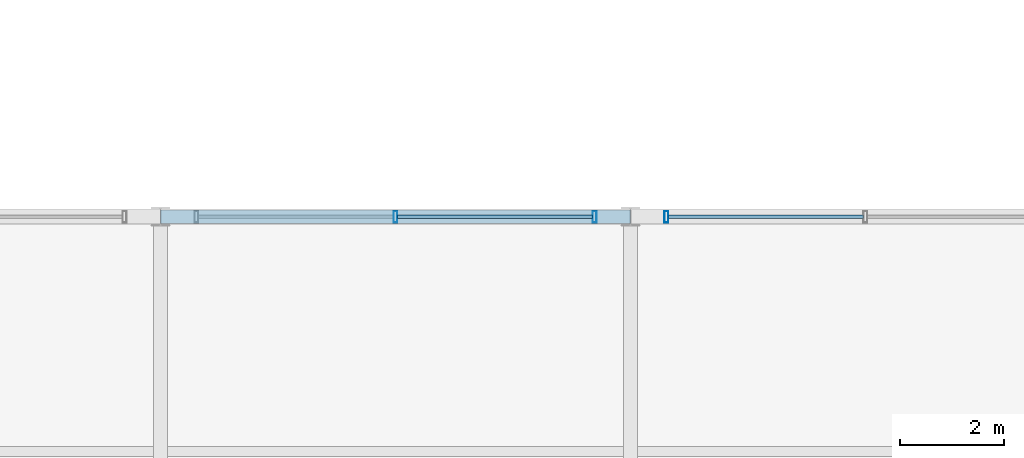
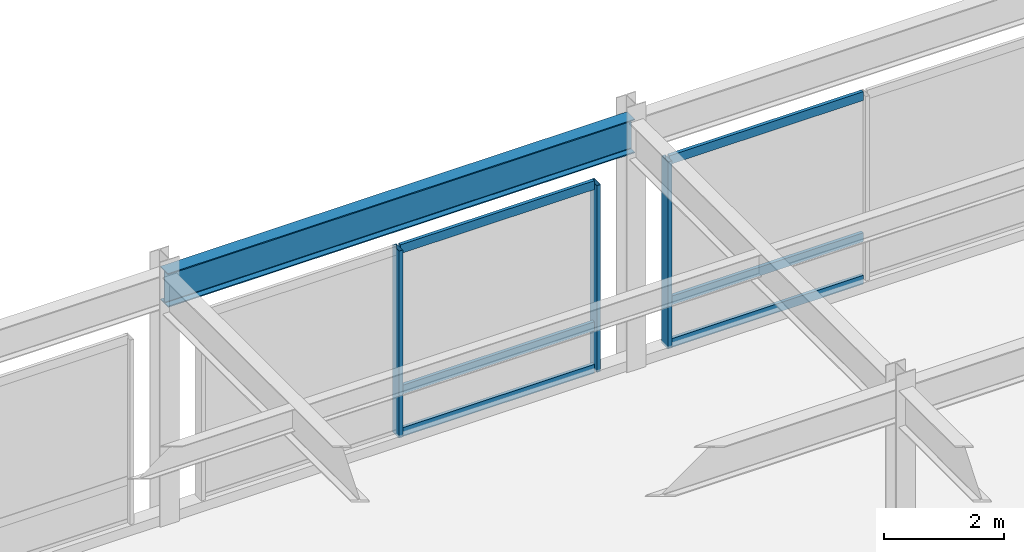
# One storey, part 52 of 100: 9 members, 1 beam, 2 elements without a shape of their own.
"""IFC4 building model written with IfcOpenShell, lengths in metres."""

from ifc_helpers import new_model, si_unit, direction, frame, origin, origin_2d, place, context, subcontext, project, spatial, hollow_rectangle, i_section, extrude, material, material_profile, profile_set, type_object, element, aggregate, save


model = new_model("IFC4")

# Units and contexts
model_context = context("Model", 3, precision=1e-05, world=origin(), true_north=direction((0.0, 1.0)))
body_context = subcontext(model_context, "Body", "Model", "MODEL_VIEW")
ifc_project = project(units=[si_unit("LENGTHUNIT", "METRE"), si_unit("AREAUNIT", "SQUARE_METRE"), si_unit("VOLUMEUNIT", "CUBIC_METRE"), si_unit("PLANEANGLEUNIT", "RADIAN"), si_unit("MASSUNIT", "GRAM", prefix="KILO")], contexts=[model_context])

# Site, building, storey
site_placement = place(None, origin())
site = spatial("IfcSite", under=ifc_project, at=site_placement, CompositionType="ELEMENT")
building_placement = place(site_placement, origin())
building = spatial("IfcBuilding", under=site, at=building_placement, Name="Kaldorvane Square Convention Centre", CompositionType="ELEMENT")
storey_placement = place(building_placement, frame((0.0, 0.0, 18.0)))
storey = spatial("IfcBuildingStorey", under=building, at=storey_placement, Name="L03", CompositionType="ELEMENT", Elevation=18.0)

# Beam
ifc_material_1 = material(Name="Steel ASTM A992 Gr. 50", Category="steel")
ifc_material_profile_1 = material_profile(ifc_material_1, i_section(OverallWidth=0.25439453125, OverallDepth=0.6880950927734375, WebThickness=0.0131072998046875, FlangeThickness=0.0211029052734375, FilletRadius=0.01519775390625, at=origin_2d()), Name="W27X102")
ifc_profile_set_1 = profile_set([ifc_material_profile_1], Name="Steel ASTM A992 Gr. 50")
beam_type = type_object("IfcBeamType", Name="BM-GR-W27X102", PredefinedType="BEAM", material=ifc_profile_set_1)
beam_placement = place(storey_placement, frame((147.0, 36.0, 4.731903076171875), z_axis=(1.0, 0.0, 0.0), x_axis=(0.0, 1.0, 0.0)))
element("IfcBeam", 1, at=beam_placement, inside=storey, type_object=beam_type, Name="Primary Girder (L03)", PredefinedType="BEAM", context=body_context, shape_type="SweptSolid", body=[
    extrude(i_section(OverallWidth=0.25439453125, OverallDepth=0.6880950927734375, WebThickness=0.0131072998046875, FlangeThickness=0.0211029052734375, FilletRadius=0.01519775390625, at=origin_2d()), origin(), (0.0, 0.0, 1.0), 9.0),
])

# Curtain wall, members
ifc_material_2 = material(Name="Anodized Aluminum and Low-E Insulated Glazing", Category="aluminium")
curtain_wall_type = type_object("IfcCurtainWallType", Name="CW-PTS-FC-54", PredefinedType="USERDEFINED", material=ifc_material_2)
curtain_wall_1_placement = place(storey_placement, origin())
curtain_wall_1 = element("IfcCurtainWall", 2, at=curtain_wall_1_placement, inside=storey, type_object=curtain_wall_type, Name="Curtain Wall CW-08 (L03)", ObjectType="POINT SUPPORTED GLAZING", PredefinedType="USERDEFINED")
ifc_material_profile_2 = material_profile(ifc_material_2, hollow_rectangle(XDim=0.0749969482421875, YDim=0.220001220703125, WallThickness=0.003997802734375, at=origin_2d()), Name="CWM-220X75")
ifc_profile_set_2 = profile_set([ifc_material_profile_2], Name="Anodized Aluminum and Low-E Insulated Glazing")
member_type_1 = type_object("IfcMemberType", Name="CW-MUL-220", PredefinedType="MULLION", material=ifc_profile_set_2)
member_1_placement = place(storey_placement, frame((155.3125, 36.0, 0.149993896484375), z_axis=(0.0, 0.0, 1.0), x_axis=(-1.0, 0.0, 0.0)))
member_1 = element("IfcMember", 3, at=member_1_placement, type_object=member_type_1, Name="CW-08 mullion 1", PredefinedType="MULLION", context=body_context, shape_type="SweptSolid", body=[
    extrude(hollow_rectangle(XDim=0.0749969482421875, YDim=0.220001220703125, WallThickness=0.003997802734375, at=origin_2d()), origin(), (0.0, 0.0, 1.0), 3.8100128173828125),
])
member_2_placement = place(storey_placement, frame((151.5, 36.0, 0.149993896484375), z_axis=(0.0, 0.0, 1.0), x_axis=(-1.0, 0.0, 0.0)))
member_2 = element("IfcMember", 4, at=member_2_placement, type_object=member_type_1, Name="CW-08 mullion 2", PredefinedType="MULLION", context=body_context, shape_type="SweptSolid", body=[
    extrude(hollow_rectangle(XDim=0.0749969482421875, YDim=0.220001220703125, WallThickness=0.003997802734375, at=origin_2d()), origin(), (0.0, 0.0, 1.0), 3.8100128173828125),
])

# Curtain wall, member
curtain_wall_2_placement = place(storey_placement, origin())
curtain_wall_2 = element("IfcCurtainWall", 5, at=curtain_wall_2_placement, inside=storey, type_object=curtain_wall_type, Name="Curtain Wall CW-08 (L03)", ObjectType="POINT SUPPORTED GLAZING", PredefinedType="USERDEFINED")
member_3_placement = place(storey_placement, frame((156.6875, 36.0, 0.149993896484375), z_axis=(0.0, 0.0, 1.0), x_axis=(-1.0, 0.0, 0.0)))
member_3 = element("IfcMember", 6, at=member_3_placement, type_object=member_type_1, Name="CW-08 mullion 3", PredefinedType="MULLION", context=body_context, shape_type="SweptSolid", body=[
    extrude(hollow_rectangle(XDim=0.0749969482421875, YDim=0.220001220703125, WallThickness=0.003997802734375, at=origin_2d()), origin(), (0.0, 0.0, 1.0), 3.8100128173828125),
])

# Member
ifc_material_profile_3 = material_profile(ifc_material_2, hollow_rectangle(XDim=0.06500244140625, YDim=0.17999267578125, WallThickness=0.0034942626953125, at=origin_2d()), Name="CWT-180X65")
ifc_profile_set_3 = profile_set([ifc_material_profile_3], Name="Anodized Aluminum and Low-E Insulated Glazing")
member_type_2 = type_object("IfcMemberType", Name="CW-TRN-180", PredefinedType="USERDEFINED", material=ifc_profile_set_3)
member_4_placement = place(storey_placement, frame((155.27499389648438, 36.0, 0.1824951171875), z_axis=(-1.0, 0.0, 0.0), x_axis=(0.0, -1.0, 0.0)))
member_4 = element("IfcMember", 7, at=member_4_placement, type_object=member_type_2, Name="CW-08 transom 1.1", ObjectType="TRANSOM", PredefinedType="USERDEFINED", context=body_context, shape_type="SweptSolid", body=[
    extrude(hollow_rectangle(XDim=0.06500244140625, YDim=0.17999267578125, WallThickness=0.0034942626953125, at=origin_2d()), origin(), (0.0, 0.0, 1.0), 3.73748779296875),
])

member_5_placement = place(storey_placement, frame((155.27499389648438, 36.0, 1.0500030517578125), z_axis=(-1.0, 0.0, 0.0), x_axis=(0.0, -1.0, 0.0)))
member_5 = element("IfcMember", 8, at=member_5_placement, type_object=member_type_2, Name="CW-08 transom 1.2", ObjectType="TRANSOM", PredefinedType="USERDEFINED", context=body_context, shape_type="SweptSolid", body=[
    extrude(hollow_rectangle(XDim=0.06500244140625, YDim=0.17999267578125, WallThickness=0.0034942626953125, at=origin_2d()), origin(), (0.0, 0.0, 1.0), 3.73748779296875),
])

member_6_placement = place(storey_placement, frame((155.27499389648438, 36.0, 3.9275054931640625), z_axis=(-1.0, 0.0, 0.0), x_axis=(0.0, -1.0, 0.0)))
member_6 = element("IfcMember", 9, at=member_6_placement, type_object=member_type_2, Name="CW-08 transom 1.3", ObjectType="TRANSOM", PredefinedType="USERDEFINED", context=body_context, shape_type="SweptSolid", body=[
    extrude(hollow_rectangle(XDim=0.06500244140625, YDim=0.17999267578125, WallThickness=0.0034942626953125, at=origin_2d()), origin(), (0.0, 0.0, 1.0), 3.73748779296875),
])

aggregate(curtain_wall_1, [member_1, member_2, member_4, member_5, member_6])

member_7_placement = place(storey_placement, frame((160.46249389648438, 36.0, 0.1824951171875), z_axis=(-1.0, 0.0, 0.0), x_axis=(0.0, -1.0, 0.0)))
member_7 = element("IfcMember", 10, at=member_7_placement, type_object=member_type_2, Name="CW-08 transom 2.1", ObjectType="TRANSOM", PredefinedType="USERDEFINED", context=body_context, shape_type="SweptSolid", body=[
    extrude(hollow_rectangle(XDim=0.06500244140625, YDim=0.17999267578125, WallThickness=0.0034942626953125, at=origin_2d()), origin(), (0.0, 0.0, 1.0), 3.73748779296875),
])

member_8_placement = place(storey_placement, frame((160.46249389648438, 36.0, 1.0500030517578125), z_axis=(-1.0, 0.0, 0.0), x_axis=(0.0, -1.0, 0.0)))
member_8 = element("IfcMember", 11, at=member_8_placement, type_object=member_type_2, Name="CW-08 transom 2.2", ObjectType="TRANSOM", PredefinedType="USERDEFINED", context=body_context, shape_type="SweptSolid", body=[
    extrude(hollow_rectangle(XDim=0.06500244140625, YDim=0.17999267578125, WallThickness=0.0034942626953125, at=origin_2d()), origin(), (0.0, 0.0, 1.0), 3.73748779296875),
])

member_9_placement = place(storey_placement, frame((160.46249389648438, 36.0, 3.9275054931640625), z_axis=(-1.0, 0.0, 0.0), x_axis=(0.0, -1.0, 0.0)))
member_9 = element("IfcMember", 12, at=member_9_placement, type_object=member_type_2, Name="CW-08 transom 2.3", ObjectType="TRANSOM", PredefinedType="USERDEFINED", context=body_context, shape_type="SweptSolid", body=[
    extrude(hollow_rectangle(XDim=0.06500244140625, YDim=0.17999267578125, WallThickness=0.0034942626953125, at=origin_2d()), origin(), (0.0, 0.0, 1.0), 3.73748779296875),
])

aggregate(curtain_wall_2, [member_3, member_7, member_8, member_9])

save(model, "model.ifc")
